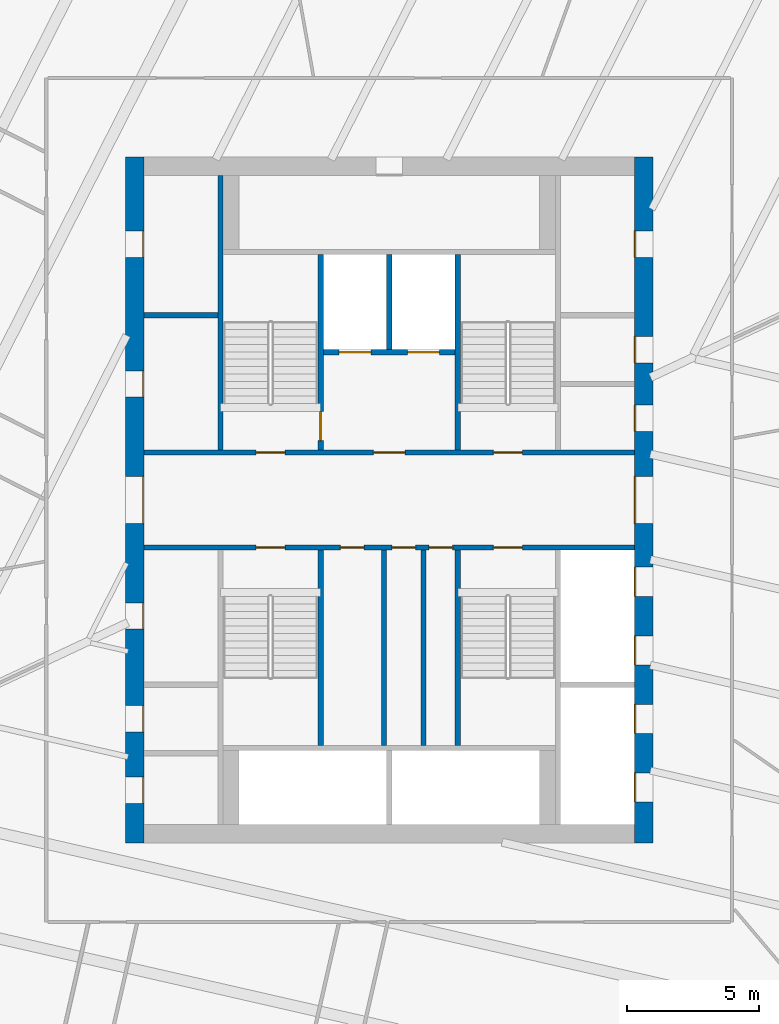
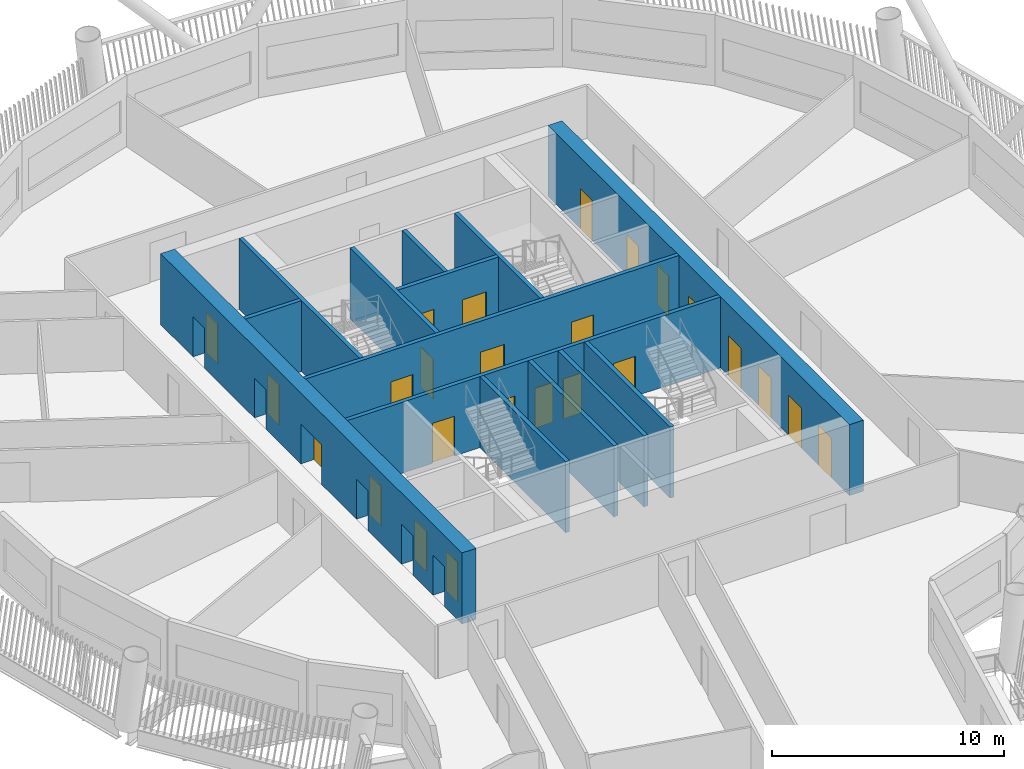
# One storey, part 5 of 21: 25 doors, 14 walls, 25 openings.
"""IFC4 building model written with IfcOpenShell, lengths in metres."""

from ifc_helpers import new_model, si_unit, direction, frame, frame_2d, origin, place, context, subcontext, project, spatial, rectangle, extrude, material, layer, layer_set, type_object, element, fill, save


model = new_model("IFC4")

# Units and contexts
model_context = context("Model", 3, precision=1e-05, world=origin(), true_north=direction((0.0, 1.0)))
body_context = subcontext(model_context, "Body", "Model", "MODEL_VIEW")
ifc_project = project(units=[si_unit("LENGTHUNIT", "METRE"), si_unit("AREAUNIT", "SQUARE_METRE"), si_unit("VOLUMEUNIT", "CUBIC_METRE"), si_unit("PLANEANGLEUNIT", "RADIAN"), si_unit("MASSUNIT", "GRAM", prefix="KILO")], contexts=[model_context])

# Site, building, storey
site_placement = place(None, origin())
site = spatial("IfcSite", under=ifc_project, at=site_placement, CompositionType="ELEMENT")
building_placement = place(site_placement, origin())
building = spatial("IfcBuilding", under=site, at=building_placement, Name="Tarsis Ring Headquarters", CompositionType="ELEMENT")
storey_placement = place(building_placement, frame((0.0, 0.0, 171.0)))
storey = spatial("IfcBuildingStorey", under=building, at=storey_placement, Name="L39", CompositionType="ELEMENT", Elevation=171.0)

# Walls
ifc_material_1 = material(Name="Blockwork", Category="masonry")
ifc_layer_1 = layer(ifc_material_1, 0.199951171875)
ifc_layer_set_1 = layer_set([ifc_layer_1], Name="Core blockwork wall 200")
wall_type_1 = type_object("IfcWallType", Name="Core blockwork wall 200", PredefinedType="PARTITIONING", material=ifc_layer_set_1)
wall_1_placement = place(storey_placement, frame((-9.300048828125, 7.0, 0.0), z_axis=(0.0, 0.0, 1.0), x_axis=(1.0, 0.0, 0.0)))
element("IfcWall", 1, at=wall_1_placement, inside=storey, type_object=wall_type_1, Name="Core partition WD6", PredefinedType="PARTITIONING", context=body_context, shape_type="SweptSolid", body=[
    extrude(rectangle(XDim=2.800048828125, YDim=0.199951171875, at=frame_2d((1.39990234375, 0.0))), origin(), (0.0, 0.0, 1.0), 3.739990234375),
])
for number, where, z_axis, x_axis, name in (
    (2, (-0.199951171875, -9.300048828125, 0.0), (0.0, 0.0, 1.0), (0.0, 1.0, 0.0), "Core partition SV1"),
    (3, (1.300048828125, -9.300048828125, 0.0), (0.0, 0.0, 1.0), (0.0, 1.0, 0.0), "Core partition SV2"),
):
    element("IfcWall", number, at=place(storey_placement, frame(where, z_axis=z_axis, x_axis=x_axis)), inside=storey, type_object=wall_type_1, Name=name, PredefinedType="PARTITIONING", context=body_context, shape_type="SweptSolid", body=[
        extrude(rectangle(XDim=7.400146484375, YDim=0.199951171875, at=frame_2d((3.7001953125, 0.0))), origin(), (0.0, 0.0, 1.0), 3.739990234375),
    ])

# Wall, openings, doors
ifc_material_2 = material(Name="Concrete C60/75", Category="concrete")
ifc_layer_2 = layer(ifc_material_2, 0.699951171875)
ifc_layer_set_2 = layer_set([ifc_layer_2], Name="Core wall 700 C60/75")
wall_type_2 = type_object("IfcWallType", Name="Core wall 700 C60/75", PredefinedType="SHEAR", material=ifc_layer_set_2)
wall_2_placement = place(storey_placement, frame((-9.64990234375, -13.0, 0.0), z_axis=(0.0, 0.0, 1.0), x_axis=(0.0, 1.0, 0.0)))
wall_2 = element("IfcWall", 4, at=wall_2_placement, inside=storey, type_object=wall_type_2, Name="Core wall OW", PredefinedType="SHEAR", context=body_context, shape_type="SweptSolid", body=[
    extrude(rectangle(XDim=26.0, YDim=0.699951171875, at=frame_2d((13.0, 0.0))), origin(), (0.0, 0.0, 1.0), 3.739990234375),
])
opening_1_placement = place(wall_2_placement, frame((1.5, 0.0, 0.0)))
opening_1 = element("IfcOpeningElement", 5, at=opening_1_placement, cuts=wall_2, Name="Opening L39-C01", PredefinedType="OPENING", context=body_context, shape_type="SweptSolid", body=[
    extrude(rectangle(XDim=1.0, YDim=2.10009765625, at=frame_2d((0.5, 1.050048828125))), frame((0.0, 0.35986328125, 0.0), z_axis=(0.0, -1.0, 0.0), x_axis=(1.0, 0.0, 0.0)), (0.0, 0.0, 1.0), 0.719970703125),
])
opening_2_placement = place(wall_2_placement, frame((4.199951171875, 0.0, 0.0)))
opening_2 = element("IfcOpeningElement", 6, at=opening_2_placement, cuts=wall_2, Name="Opening L39-C02", PredefinedType="OPENING", context=body_context, shape_type="SweptSolid", body=[
    extrude(rectangle(XDim=1.0, YDim=2.10009765625, at=frame_2d((0.5, 1.050048828125))), frame((0.0, 0.35986328125, 0.0), z_axis=(0.0, -1.0, 0.0), x_axis=(1.0, 0.0, 0.0)), (0.0, 0.0, 1.0), 0.719970703125),
])
opening_3_placement = place(wall_2_placement, frame((8.10009765625, 0.0, 0.0)))
opening_3 = element("IfcOpeningElement", 7, at=opening_3_placement, cuts=wall_2, Name="Opening L39-C03", PredefinedType="OPENING", context=body_context, shape_type="SweptSolid", body=[
    extrude(rectangle(XDim=1.0, YDim=2.10009765625, at=frame_2d((0.5, 1.050048828125))), frame((0.0, 0.35986328125, 0.0), z_axis=(0.0, -1.0, 0.0), x_axis=(1.0, 0.0, 0.0)), (0.0, 0.0, 1.0), 0.719970703125),
])
opening_4_placement = place(wall_2_placement, frame((12.10009765625, 0.0, 0.0)))
opening_4 = element("IfcOpeningElement", 8, at=opening_4_placement, cuts=wall_2, Name="Opening L39-C04", PredefinedType="OPENING", context=body_context, shape_type="SweptSolid", body=[
    extrude(rectangle(XDim=1.800048828125, YDim=2.10009765625, at=frame_2d((0.89990234375, 1.050048828125))), frame((0.0, 0.35986328125, 0.0), z_axis=(0.0, -1.0, 0.0), x_axis=(1.0, 0.0, 0.0)), (0.0, 0.0, 1.0), 0.719970703125),
])
opening_5_placement = place(wall_2_placement, frame((16.89990234375, 0.0, 0.0)))
opening_5 = element("IfcOpeningElement", 9, at=opening_5_placement, cuts=wall_2, Name="Opening L39-C05", PredefinedType="OPENING", context=body_context, shape_type="SweptSolid", body=[
    extrude(rectangle(XDim=1.0, YDim=2.10009765625, at=frame_2d((0.5, 1.050048828125))), frame((0.0, 0.35986328125, 0.0), z_axis=(0.0, -1.0, 0.0), x_axis=(1.0, 0.0, 0.0)), (0.0, 0.0, 1.0), 0.719970703125),
])
opening_6_placement = place(wall_2_placement, frame((22.199951171875, 0.0, 0.0)))
opening_6 = element("IfcOpeningElement", 10, at=opening_6_placement, cuts=wall_2, Name="Opening L39-C06", PredefinedType="OPENING", context=body_context, shape_type="SweptSolid", body=[
    extrude(rectangle(XDim=1.0, YDim=2.10009765625, at=frame_2d((0.5, 1.050048828125))), frame((0.0, 0.35986328125, 0.0), z_axis=(0.0, -1.0, 0.0), x_axis=(1.0, 0.0, 0.0)), (0.0, 0.0, 1.0), 0.719970703125),
])
ifc_material_3 = material(Name="Steel S355", Category="steel")
door_type_1 = type_object("IfcDoorType", Name="Core entry door 1800x2100", OperationType="DOUBLE_DOOR_SINGLE_SWING", PredefinedType="DOOR", material=ifc_material_3)
door_1_placement = place(opening_4_placement, origin())
door_1 = element("IfcDoor", 11, at=door_1_placement, inside=storey, type_object=door_type_1, Name="Core entry door L39", OperationType="DOUBLE_DOOR_SINGLE_SWING", OverallHeight=2.10009765625, OverallWidth=1.800048828125, PredefinedType="DOOR", context=body_context, shape_type="SweptSolid", body=[
    extrude(rectangle(XDim=1.800048828125, YDim=2.10009765625, at=frame_2d((0.89990234375, 1.050048828125))), frame((0.0, -0.2998046875, 0.0), z_axis=(0.0, -1.0, 0.0), x_axis=(1.0, 0.0, 0.0)), (0.0, 0.0, 1.0), 0.050048828125),
])
fill(opening_4, door_1)
door_type_2 = type_object("IfcDoorType", Name="Core room door 1000x2100", OperationType="SINGLE_SWING_LEFT", PredefinedType="DOOR", material=ifc_material_3)
door_2_placement = place(opening_1_placement, origin())
door_2 = element("IfcDoor", 12, at=door_2_placement, inside=storey, type_object=door_type_2, Name="Core room door L39", OperationType="SINGLE_SWING_LEFT", OverallHeight=2.10009765625, OverallWidth=1.0, PredefinedType="DOOR", context=body_context, shape_type="SweptSolid", body=[
    extrude(rectangle(XDim=1.0, YDim=2.10009765625, at=frame_2d((0.5, 1.050048828125))), frame((0.0, -0.2998046875, 0.0), z_axis=(0.0, -1.0, 0.0), x_axis=(1.0, 0.0, 0.0)), (0.0, 0.0, 1.0), 0.050048828125),
])
fill(opening_1, door_2)
door_3_placement = place(opening_2_placement, origin())
door_3 = element("IfcDoor", 13, at=door_3_placement, inside=storey, type_object=door_type_2, Name="Core room door L39", OperationType="SINGLE_SWING_LEFT", OverallHeight=2.10009765625, OverallWidth=1.0, PredefinedType="DOOR", context=body_context, shape_type="SweptSolid", body=[
    extrude(rectangle(XDim=1.0, YDim=2.10009765625, at=frame_2d((0.5, 1.050048828125))), frame((0.0, -0.2998046875, 0.0), z_axis=(0.0, -1.0, 0.0), x_axis=(1.0, 0.0, 0.0)), (0.0, 0.0, 1.0), 0.050048828125),
])
fill(opening_2, door_3)
door_4_placement = place(opening_3_placement, origin())
door_4 = element("IfcDoor", 14, at=door_4_placement, inside=storey, type_object=door_type_2, Name="Core room door L39", OperationType="SINGLE_SWING_LEFT", OverallHeight=2.10009765625, OverallWidth=1.0, PredefinedType="DOOR", context=body_context, shape_type="SweptSolid", body=[
    extrude(rectangle(XDim=1.0, YDim=2.10009765625, at=frame_2d((0.5, 1.050048828125))), frame((0.0, -0.2998046875, 0.0), z_axis=(0.0, -1.0, 0.0), x_axis=(1.0, 0.0, 0.0)), (0.0, 0.0, 1.0), 0.050048828125),
])
fill(opening_3, door_4)
door_5_placement = place(opening_5_placement, origin())
door_5 = element("IfcDoor", 15, at=door_5_placement, inside=storey, type_object=door_type_2, Name="Core room door L39", OperationType="SINGLE_SWING_LEFT", OverallHeight=2.10009765625, OverallWidth=1.0, PredefinedType="DOOR", context=body_context, shape_type="SweptSolid", body=[
    extrude(rectangle(XDim=1.0, YDim=2.10009765625, at=frame_2d((0.5, 1.050048828125))), frame((0.0, -0.2998046875, 0.0), z_axis=(0.0, -1.0, 0.0), x_axis=(1.0, 0.0, 0.0)), (0.0, 0.0, 1.0), 0.050048828125),
])
fill(opening_5, door_5)
door_6_placement = place(opening_6_placement, origin())
door_6 = element("IfcDoor", 16, at=door_6_placement, inside=storey, type_object=door_type_2, Name="Core room door L39", OperationType="SINGLE_SWING_LEFT", OverallHeight=2.10009765625, OverallWidth=1.0, PredefinedType="DOOR", context=body_context, shape_type="SweptSolid", body=[
    extrude(rectangle(XDim=1.0, YDim=2.10009765625, at=frame_2d((0.5, 1.050048828125))), frame((0.0, -0.2998046875, 0.0), z_axis=(0.0, -1.0, 0.0), x_axis=(1.0, 0.0, 0.0)), (0.0, 0.0, 1.0), 0.050048828125),
])
fill(opening_6, door_6)

wall_3_placement = place(storey_placement, frame((9.64990234375, -13.0, 0.0), z_axis=(0.0, 0.0, 1.0), x_axis=(0.0, 1.0, 0.0)))
wall_3 = element("IfcWall", 17, at=wall_3_placement, inside=storey, type_object=wall_type_2, Name="Core wall OE", PredefinedType="SHEAR", context=body_context, shape_type="SweptSolid", body=[
    extrude(rectangle(XDim=26.0, YDim=0.699951171875, at=frame_2d((13.0, 0.0))), origin(), (0.0, 0.0, 1.0), 3.739990234375),
])
opening_7_placement = place(wall_3_placement, frame((1.550048828125, 0.0, 0.0)))
opening_7 = element("IfcOpeningElement", 18, at=opening_7_placement, cuts=wall_3, Name="Opening LD-MR1", PredefinedType="OPENING", context=body_context, shape_type="SweptSolid", body=[
    extrude(rectangle(XDim=1.10009765625, YDim=2.10009765625, at=frame_2d((0.550048828125, 1.050048828125))), frame((0.0, 0.35986328125, 0.0), z_axis=(0.0, -1.0, 0.0), x_axis=(1.0, 0.0, 0.0)), (0.0, 0.0, 1.0), 0.719970703125),
])
opening_8_placement = place(wall_3_placement, frame((4.14990234375, 0.0, 0.0)))
opening_8 = element("IfcOpeningElement", 19, at=opening_8_placement, cuts=wall_3, Name="Opening LD-MR2", PredefinedType="OPENING", context=body_context, shape_type="SweptSolid", body=[
    extrude(rectangle(XDim=1.10009765625, YDim=2.10009765625, at=frame_2d((0.550048828125, 1.050048828125))), frame((0.0, 0.35986328125, 0.0), z_axis=(0.0, -1.0, 0.0), x_axis=(1.0, 0.0, 0.0)), (0.0, 0.0, 1.0), 0.719970703125),
])
opening_9_placement = place(wall_3_placement, frame((6.75, 0.0, 0.0)))
opening_9 = element("IfcOpeningElement", 20, at=opening_9_placement, cuts=wall_3, Name="Opening LD-MR3", PredefinedType="OPENING", context=body_context, shape_type="SweptSolid", body=[
    extrude(rectangle(XDim=1.10009765625, YDim=2.10009765625, at=frame_2d((0.550048828125, 1.050048828125))), frame((0.0, 0.35986328125, 0.0), z_axis=(0.0, -1.0, 0.0), x_axis=(1.0, 0.0, 0.0)), (0.0, 0.0, 1.0), 0.719970703125),
])
opening_10_placement = place(wall_3_placement, frame((9.35009765625, 0.0, 0.0)))
opening_10 = element("IfcOpeningElement", 21, at=opening_10_placement, cuts=wall_3, Name="Opening LD-MR4", PredefinedType="OPENING", context=body_context, shape_type="SweptSolid", body=[
    extrude(rectangle(XDim=1.10009765625, YDim=2.10009765625, at=frame_2d((0.550048828125, 1.050048828125))), frame((0.0, 0.35986328125, 0.0), z_axis=(0.0, -1.0, 0.0), x_axis=(1.0, 0.0, 0.0)), (0.0, 0.0, 1.0), 0.719970703125),
])
opening_11_placement = place(wall_3_placement, frame((12.10009765625, 0.0, 0.0)))
opening_11 = element("IfcOpeningElement", 22, at=opening_11_placement, cuts=wall_3, Name="Opening L39-C11", PredefinedType="OPENING", context=body_context, shape_type="SweptSolid", body=[
    extrude(rectangle(XDim=1.800048828125, YDim=2.10009765625, at=frame_2d((0.89990234375, 1.050048828125))), frame((0.0, 0.35986328125, 0.0), z_axis=(0.0, -1.0, 0.0), x_axis=(1.0, 0.0, 0.0)), (0.0, 0.0, 1.0), 0.719970703125),
])
opening_12_placement = place(wall_3_placement, frame((15.60009765625, 0.0, 0.0)))
opening_12 = element("IfcOpeningElement", 23, at=opening_12_placement, cuts=wall_3, Name="Opening L39-C12", PredefinedType="OPENING", context=body_context, shape_type="SweptSolid", body=[
    extrude(rectangle(XDim=1.0, YDim=2.10009765625, at=frame_2d((0.5, 1.050048828125))), frame((0.0, 0.35986328125, 0.0), z_axis=(0.0, -1.0, 0.0), x_axis=(1.0, 0.0, 0.0)), (0.0, 0.0, 1.0), 0.719970703125),
])
opening_13_placement = place(wall_3_placement, frame((18.199951171875, 0.0, 0.0)))
opening_13 = element("IfcOpeningElement", 24, at=opening_13_placement, cuts=wall_3, Name="Opening L39-C13", PredefinedType="OPENING", context=body_context, shape_type="SweptSolid", body=[
    extrude(rectangle(XDim=1.0, YDim=2.10009765625, at=frame_2d((0.5, 1.050048828125))), frame((0.0, 0.35986328125, 0.0), z_axis=(0.0, -1.0, 0.0), x_axis=(1.0, 0.0, 0.0)), (0.0, 0.0, 1.0), 0.719970703125),
])
opening_14_placement = place(wall_3_placement, frame((22.199951171875, 0.0, 0.0)))
opening_14 = element("IfcOpeningElement", 25, at=opening_14_placement, cuts=wall_3, Name="Opening L39-C14", PredefinedType="OPENING", context=body_context, shape_type="SweptSolid", body=[
    extrude(rectangle(XDim=1.0, YDim=2.10009765625, at=frame_2d((0.5, 1.050048828125))), frame((0.0, 0.35986328125, 0.0), z_axis=(0.0, -1.0, 0.0), x_axis=(1.0, 0.0, 0.0)), (0.0, 0.0, 1.0), 0.719970703125),
])
door_7_placement = place(opening_11_placement, origin())
door_7 = element("IfcDoor", 26, at=door_7_placement, inside=storey, type_object=door_type_1, Name="Core entry door L39", OperationType="DOUBLE_DOOR_SINGLE_SWING", OverallHeight=2.10009765625, OverallWidth=1.800048828125, PredefinedType="DOOR", context=body_context, shape_type="SweptSolid", body=[
    extrude(rectangle(XDim=1.800048828125, YDim=2.10009765625, at=frame_2d((0.89990234375, 1.050048828125))), frame((0.0, 0.35009765625, 0.0), z_axis=(0.0, -1.0, 0.0), x_axis=(1.0, 0.0, 0.0)), (0.0, 0.0, 1.0), 0.050048828125),
])
fill(opening_11, door_7)
door_8_placement = place(opening_12_placement, origin())
door_8 = element("IfcDoor", 27, at=door_8_placement, inside=storey, type_object=door_type_2, Name="Core room door L39", OperationType="SINGLE_SWING_LEFT", OverallHeight=2.10009765625, OverallWidth=1.0, PredefinedType="DOOR", context=body_context, shape_type="SweptSolid", body=[
    extrude(rectangle(XDim=1.0, YDim=2.10009765625, at=frame_2d((0.5, 1.050048828125))), frame((0.0, 0.35009765625, 0.0), z_axis=(0.0, -1.0, 0.0), x_axis=(1.0, 0.0, 0.0)), (0.0, 0.0, 1.0), 0.050048828125),
])
fill(opening_12, door_8)
door_9_placement = place(opening_13_placement, origin())
door_9 = element("IfcDoor", 28, at=door_9_placement, inside=storey, type_object=door_type_2, Name="Core room door L39", OperationType="SINGLE_SWING_LEFT", OverallHeight=2.10009765625, OverallWidth=1.0, PredefinedType="DOOR", context=body_context, shape_type="SweptSolid", body=[
    extrude(rectangle(XDim=1.0, YDim=2.10009765625, at=frame_2d((0.5, 1.050048828125))), frame((0.0, 0.35009765625, 0.0), z_axis=(0.0, -1.0, 0.0), x_axis=(1.0, 0.0, 0.0)), (0.0, 0.0, 1.0), 0.050048828125),
])
fill(opening_13, door_9)
door_10_placement = place(opening_14_placement, origin())
door_10 = element("IfcDoor", 29, at=door_10_placement, inside=storey, type_object=door_type_2, Name="Core room door L39", OperationType="SINGLE_SWING_LEFT", OverallHeight=2.10009765625, OverallWidth=1.0, PredefinedType="DOOR", context=body_context, shape_type="SweptSolid", body=[
    extrude(rectangle(XDim=1.0, YDim=2.10009765625, at=frame_2d((0.5, 1.050048828125))), frame((0.0, 0.35009765625, 0.0), z_axis=(0.0, -1.0, 0.0), x_axis=(1.0, 0.0, 0.0)), (0.0, 0.0, 1.0), 0.050048828125),
])
fill(opening_14, door_10)
door_type_3 = type_object("IfcDoorType", Name="Landing door 1100x2100", OperationType="SLIDING_TO_LEFT", PredefinedType="DOOR", material=ifc_material_3)
door_11_placement = place(opening_7_placement, origin())
door_11 = element("IfcDoor", 30, at=door_11_placement, inside=storey, type_object=door_type_3, Name="Landing door MR1 L39", OperationType="SLIDING_TO_LEFT", OverallHeight=2.10009765625, OverallWidth=1.10009765625, PredefinedType="DOOR", context=body_context, shape_type="SweptSolid", body=[
    extrude(rectangle(XDim=1.10009765625, YDim=2.10009765625, at=frame_2d((0.550048828125, 1.050048828125))), frame((0.0, 0.35009765625, 0.0), z_axis=(0.0, -1.0, 0.0), x_axis=(1.0, 0.0, 0.0)), (0.0, 0.0, 1.0), 0.050048828125),
])
fill(opening_7, door_11)
door_12_placement = place(opening_8_placement, origin())
door_12 = element("IfcDoor", 31, at=door_12_placement, inside=storey, type_object=door_type_3, Name="Landing door MR2 L39", OperationType="SLIDING_TO_LEFT", OverallHeight=2.10009765625, OverallWidth=1.10009765625, PredefinedType="DOOR", context=body_context, shape_type="SweptSolid", body=[
    extrude(rectangle(XDim=1.10009765625, YDim=2.10009765625, at=frame_2d((0.550048828125, 1.050048828125))), frame((0.0, 0.35009765625, 0.0), z_axis=(0.0, -1.0, 0.0), x_axis=(1.0, 0.0, 0.0)), (0.0, 0.0, 1.0), 0.050048828125),
])
fill(opening_8, door_12)
door_13_placement = place(opening_9_placement, origin())
door_13 = element("IfcDoor", 32, at=door_13_placement, inside=storey, type_object=door_type_3, Name="Landing door MR3 L39", OperationType="SLIDING_TO_LEFT", OverallHeight=2.10009765625, OverallWidth=1.10009765625, PredefinedType="DOOR", context=body_context, shape_type="SweptSolid", body=[
    extrude(rectangle(XDim=1.10009765625, YDim=2.10009765625, at=frame_2d((0.550048828125, 1.050048828125))), frame((0.0, 0.35009765625, 0.0), z_axis=(0.0, -1.0, 0.0), x_axis=(1.0, 0.0, 0.0)), (0.0, 0.0, 1.0), 0.050048828125),
])
fill(opening_9, door_13)
door_14_placement = place(opening_10_placement, origin())
door_14 = element("IfcDoor", 33, at=door_14_placement, inside=storey, type_object=door_type_3, Name="Landing door MR4 L39", OperationType="SLIDING_TO_LEFT", OverallHeight=2.10009765625, OverallWidth=1.10009765625, PredefinedType="DOOR", context=body_context, shape_type="SweptSolid", body=[
    extrude(rectangle(XDim=1.10009765625, YDim=2.10009765625, at=frame_2d((0.550048828125, 1.050048828125))), frame((0.0, 0.35009765625, 0.0), z_axis=(0.0, -1.0, 0.0), x_axis=(1.0, 0.0, 0.0)), (0.0, 0.0, 1.0), 0.050048828125),
])
fill(opening_10, door_14)

ifc_material_4 = material(Name="Concrete C32/40", Category="concrete")
ifc_layer_3 = layer(ifc_material_4, 0.199951171875)
ifc_layer_set_3 = layer_set([ifc_layer_3], Name="Shaft wall 200 C32/40")
wall_type_3 = type_object("IfcWallType", Name="Shaft wall 200 C32/40", PredefinedType="SOLIDWALL", material=ifc_layer_set_3)
wall_4_placement = place(storey_placement, frame((-9.300048828125, 1.800048828125, 0.0), z_axis=(0.0, 0.0, 1.0), x_axis=(1.0, 0.0, 0.0)))
wall_4 = element("IfcWall", 34, at=wall_4_placement, inside=storey, type_object=wall_type_3, Name="Core shaft wall CN", PredefinedType="SOLIDWALL", context=body_context, shape_type="SweptSolid", body=[
    extrude(rectangle(XDim=18.60009765625, YDim=0.199951171875, at=frame_2d((9.300048828125, 0.0))), origin(), (0.0, 0.0, 1.0), 3.739990234375),
])
opening_15_placement = place(wall_4_placement, frame((4.25, 0.0, 0.0)))
opening_15 = element("IfcOpeningElement", 35, at=opening_15_placement, cuts=wall_4, Name="Opening L39-C16", PredefinedType="OPENING", context=body_context, shape_type="SweptSolid", body=[
    extrude(rectangle(XDim=1.10009765625, YDim=2.10009765625, at=frame_2d((0.550048828125, 1.050048828125))), frame((0.0, 0.10986328125, 0.0), z_axis=(0.0, -1.0, 0.0), x_axis=(1.0, 0.0, 0.0)), (0.0, 0.0, 1.0), 0.219970703125),
])
opening_16_placement = place(wall_4_placement, frame((8.699951171875, 0.0, 0.0)))
opening_16 = element("IfcOpeningElement", 36, at=opening_16_placement, cuts=wall_4, Name="Opening L39-C17", PredefinedType="OPENING", context=body_context, shape_type="SweptSolid", body=[
    extrude(rectangle(XDim=1.199951171875, YDim=2.10009765625, at=frame_2d((0.60009765625, 1.050048828125))), frame((0.0, 0.10986328125, 0.0), z_axis=(0.0, -1.0, 0.0), x_axis=(1.0, 0.0, 0.0)), (0.0, 0.0, 1.0), 0.219970703125),
])
opening_17_placement = place(wall_4_placement, frame((13.25, 0.0, 0.0)))
opening_17 = element("IfcOpeningElement", 37, at=opening_17_placement, cuts=wall_4, Name="Opening L39-C18", PredefinedType="OPENING", context=body_context, shape_type="SweptSolid", body=[
    extrude(rectangle(XDim=1.10009765625, YDim=2.10009765625, at=frame_2d((0.550048828125, 1.050048828125))), frame((0.0, 0.10986328125, 0.0), z_axis=(0.0, -1.0, 0.0), x_axis=(1.0, 0.0, 0.0)), (0.0, 0.0, 1.0), 0.219970703125),
])
door_type_4 = type_object("IfcDoorType", Name="Firefighting lobby door 1200x2100", OperationType="DOUBLE_DOOR_SINGLE_SWING", PredefinedType="DOOR", material=ifc_material_3)
door_15_placement = place(opening_16_placement, origin())
door_15 = element("IfcDoor", 38, at=door_15_placement, inside=storey, type_object=door_type_4, Name="Firefighting lobby door L39", OperationType="DOUBLE_DOOR_SINGLE_SWING", OverallHeight=2.10009765625, OverallWidth=1.199951171875, PredefinedType="DOOR", context=body_context, shape_type="SweptSolid", body=[
    extrude(rectangle(XDim=1.199951171875, YDim=2.10009765625, at=frame_2d((0.60009765625, 1.050048828125))), frame((0.0, 0.02490234375, 0.0), z_axis=(0.0, -1.0, 0.0), x_axis=(1.0, 0.0, 0.0)), (0.0, 0.0, 1.0), 0.050048828125),
])
fill(opening_16, door_15)
door_type_5 = type_object("IfcDoorType", Name="Stair door 1100x2100", OperationType="SINGLE_SWING_LEFT", PredefinedType="DOOR", material=ifc_material_3)
door_16_placement = place(opening_15_placement, origin())
door_16 = element("IfcDoor", 39, at=door_16_placement, inside=storey, type_object=door_type_5, Name="Stair door L39", OperationType="SINGLE_SWING_LEFT", OverallHeight=2.10009765625, OverallWidth=1.10009765625, PredefinedType="DOOR", context=body_context, shape_type="SweptSolid", body=[
    extrude(rectangle(XDim=1.10009765625, YDim=2.10009765625, at=frame_2d((0.550048828125, 1.050048828125))), frame((0.0, 0.02490234375, 0.0), z_axis=(0.0, -1.0, 0.0), x_axis=(1.0, 0.0, 0.0)), (0.0, 0.0, 1.0), 0.050048828125),
])
fill(opening_15, door_16)
door_17_placement = place(opening_17_placement, origin())
door_17 = element("IfcDoor", 40, at=door_17_placement, inside=storey, type_object=door_type_5, Name="Stair door L39", OperationType="SINGLE_SWING_LEFT", OverallHeight=2.10009765625, OverallWidth=1.10009765625, PredefinedType="DOOR", context=body_context, shape_type="SweptSolid", body=[
    extrude(rectangle(XDim=1.10009765625, YDim=2.10009765625, at=frame_2d((0.550048828125, 1.050048828125))), frame((0.0, 0.02490234375, 0.0), z_axis=(0.0, -1.0, 0.0), x_axis=(1.0, 0.0, 0.0)), (0.0, 0.0, 1.0), 0.050048828125),
])
fill(opening_17, door_17)

wall_5_placement = place(storey_placement, frame((-9.300048828125, -1.800048828125, 0.0), z_axis=(0.0, 0.0, 1.0), x_axis=(1.0, 0.0, 0.0)))
wall_5 = element("IfcWall", 41, at=wall_5_placement, inside=storey, type_object=wall_type_3, Name="Core shaft wall CS", PredefinedType="SOLIDWALL", context=body_context, shape_type="SweptSolid", body=[
    extrude(rectangle(XDim=18.60009765625, YDim=0.199951171875, at=frame_2d((9.300048828125, 0.0))), origin(), (0.0, 0.0, 1.0), 3.739990234375),
])
opening_18_placement = place(wall_5_placement, frame((4.25, 0.0, 0.0)))
opening_18 = element("IfcOpeningElement", 42, at=opening_18_placement, cuts=wall_5, Name="Opening L39-C19", PredefinedType="OPENING", context=body_context, shape_type="SweptSolid", body=[
    extrude(rectangle(XDim=1.10009765625, YDim=2.10009765625, at=frame_2d((0.550048828125, 1.050048828125))), frame((0.0, 0.10986328125, 0.0), z_axis=(0.0, -1.0, 0.0), x_axis=(1.0, 0.0, 0.0)), (0.0, 0.0, 1.0), 0.219970703125),
])
opening_19_placement = place(wall_5_placement, frame((7.449951171875, 0.0, 0.0)))
opening_19 = element("IfcOpeningElement", 43, at=opening_19_placement, cuts=wall_5, Name="Opening L39-C20", PredefinedType="OPENING", context=body_context, shape_type="SweptSolid", body=[
    extrude(rectangle(XDim=0.89990234375, YDim=2.10009765625, at=frame_2d((0.449951171875, 1.050048828125))), frame((0.0, 0.10986328125, 0.0), z_axis=(0.0, -1.0, 0.0), x_axis=(1.0, 0.0, 0.0)), (0.0, 0.0, 1.0), 0.219970703125),
])
opening_20_placement = place(wall_5_placement, frame((9.39990234375, 0.0, 0.0)))
opening_20 = element("IfcOpeningElement", 44, at=opening_20_placement, cuts=wall_5, Name="Opening L39-C21", PredefinedType="OPENING", context=body_context, shape_type="SweptSolid", body=[
    extrude(rectangle(XDim=0.89990234375, YDim=2.10009765625, at=frame_2d((0.449951171875, 1.050048828125))), frame((0.0, 0.10986328125, 0.0), z_axis=(0.0, -1.0, 0.0), x_axis=(1.0, 0.0, 0.0)), (0.0, 0.0, 1.0), 0.219970703125),
])
opening_21_placement = place(wall_5_placement, frame((10.800048828125, 0.0, 0.0)))
opening_21 = element("IfcOpeningElement", 45, at=opening_21_placement, cuts=wall_5, Name="Opening L39-C22", PredefinedType="OPENING", context=body_context, shape_type="SweptSolid", body=[
    extrude(rectangle(XDim=0.89990234375, YDim=2.10009765625, at=frame_2d((0.449951171875, 1.050048828125))), frame((0.0, 0.10986328125, 0.0), z_axis=(0.0, -1.0, 0.0), x_axis=(1.0, 0.0, 0.0)), (0.0, 0.0, 1.0), 0.219970703125),
])
opening_22_placement = place(wall_5_placement, frame((13.25, 0.0, 0.0)))
opening_22 = element("IfcOpeningElement", 46, at=opening_22_placement, cuts=wall_5, Name="Opening L39-C23", PredefinedType="OPENING", context=body_context, shape_type="SweptSolid", body=[
    extrude(rectangle(XDim=1.10009765625, YDim=2.10009765625, at=frame_2d((0.550048828125, 1.050048828125))), frame((0.0, 0.10986328125, 0.0), z_axis=(0.0, -1.0, 0.0), x_axis=(1.0, 0.0, 0.0)), (0.0, 0.0, 1.0), 0.219970703125),
])
door_18_placement = place(opening_18_placement, origin())
door_18 = element("IfcDoor", 47, at=door_18_placement, inside=storey, type_object=door_type_5, Name="Stair door L39", OperationType="SINGLE_SWING_LEFT", OverallHeight=2.10009765625, OverallWidth=1.10009765625, PredefinedType="DOOR", context=body_context, shape_type="SweptSolid", body=[
    extrude(rectangle(XDim=1.10009765625, YDim=2.10009765625, at=frame_2d((0.550048828125, 1.050048828125))), frame((0.0, 0.02490234375, 0.0), z_axis=(0.0, -1.0, 0.0), x_axis=(1.0, 0.0, 0.0)), (0.0, 0.0, 1.0), 0.050048828125),
])
fill(opening_18, door_18)
door_19_placement = place(opening_22_placement, origin())
door_19 = element("IfcDoor", 48, at=door_19_placement, inside=storey, type_object=door_type_5, Name="Stair door L39", OperationType="SINGLE_SWING_LEFT", OverallHeight=2.10009765625, OverallWidth=1.10009765625, PredefinedType="DOOR", context=body_context, shape_type="SweptSolid", body=[
    extrude(rectangle(XDim=1.10009765625, YDim=2.10009765625, at=frame_2d((0.550048828125, 1.050048828125))), frame((0.0, 0.02490234375, 0.0), z_axis=(0.0, -1.0, 0.0), x_axis=(1.0, 0.0, 0.0)), (0.0, 0.0, 1.0), 0.050048828125),
])
fill(opening_22, door_19)
door_type_6 = type_object("IfcDoorType", Name="WC door 900x2100", OperationType="SINGLE_SWING_LEFT", PredefinedType="DOOR", material=ifc_material_3)
door_20_placement = place(opening_19_placement, origin())
door_20 = element("IfcDoor", 49, at=door_20_placement, inside=storey, type_object=door_type_6, Name="WC door L39", OperationType="SINGLE_SWING_LEFT", OverallHeight=2.10009765625, OverallWidth=0.89990234375, PredefinedType="DOOR", context=body_context, shape_type="SweptSolid", body=[
    extrude(rectangle(XDim=0.89990234375, YDim=2.10009765625, at=frame_2d((0.449951171875, 1.050048828125))), frame((0.0, 0.02490234375, 0.0), z_axis=(0.0, -1.0, 0.0), x_axis=(1.0, 0.0, 0.0)), (0.0, 0.0, 1.0), 0.050048828125),
])
fill(opening_19, door_20)
door_21_placement = place(opening_20_placement, origin())
door_21 = element("IfcDoor", 50, at=door_21_placement, inside=storey, type_object=door_type_6, Name="WC door L39", OperationType="SINGLE_SWING_LEFT", OverallHeight=2.10009765625, OverallWidth=0.89990234375, PredefinedType="DOOR", context=body_context, shape_type="SweptSolid", body=[
    extrude(rectangle(XDim=0.89990234375, YDim=2.10009765625, at=frame_2d((0.449951171875, 1.050048828125))), frame((0.0, 0.02490234375, 0.0), z_axis=(0.0, -1.0, 0.0), x_axis=(1.0, 0.0, 0.0)), (0.0, 0.0, 1.0), 0.050048828125),
])
fill(opening_20, door_21)
door_22_placement = place(opening_21_placement, origin())
door_22 = element("IfcDoor", 51, at=door_22_placement, inside=storey, type_object=door_type_6, Name="WC door L39", OperationType="SINGLE_SWING_LEFT", OverallHeight=2.10009765625, OverallWidth=0.89990234375, PredefinedType="DOOR", context=body_context, shape_type="SweptSolid", body=[
    extrude(rectangle(XDim=0.89990234375, YDim=2.10009765625, at=frame_2d((0.449951171875, 1.050048828125))), frame((0.0, 0.02490234375, 0.0), z_axis=(0.0, -1.0, 0.0), x_axis=(1.0, 0.0, 0.0)), (0.0, 0.0, 1.0), 0.050048828125),
])
fill(opening_21, door_22)

# Wall
wall_6_placement = place(storey_placement, frame((-6.39990234375, 1.89990234375, 0.0), z_axis=(0.0, 0.0, 1.0), x_axis=(0.0, 1.0, 0.0)))
element("IfcWall", 52, at=wall_6_placement, inside=storey, type_object=wall_type_3, Name="Core shaft wall WB2", PredefinedType="SOLIDWALL", context=body_context, shape_type="SweptSolid", body=[
    extrude(rectangle(XDim=10.400146484375, YDim=0.199951171875, at=frame_2d((5.2001953125, 0.0))), origin(), (0.0, 0.0, 1.0), 3.739990234375),
])

# Wall, opening, door
wall_7_placement = place(storey_placement, frame((-2.60009765625, 1.89990234375, 0.0), z_axis=(0.0, 0.0, 1.0), x_axis=(0.0, 1.0, 0.0)))
wall_7 = element("IfcWall", 53, at=wall_7_placement, inside=storey, type_object=wall_type_3, Name="Core shaft wall SW1", PredefinedType="SOLIDWALL", context=body_context, shape_type="SweptSolid", body=[
    extrude(rectangle(XDim=7.400146484375, YDim=0.199951171875, at=frame_2d((3.7001953125, 0.0))), origin(), (0.0, 0.0, 1.0), 3.739990234375),
])
opening_23_placement = place(wall_7_placement, frame((0.35009765625, 0.0, 0.0)))
opening_23 = element("IfcOpeningElement", 54, at=opening_23_placement, cuts=wall_7, Name="Opening L39-C24", PredefinedType="OPENING", context=body_context, shape_type="SweptSolid", body=[
    extrude(rectangle(XDim=1.10009765625, YDim=2.10009765625, at=frame_2d((0.550048828125, 1.050048828125))), frame((0.0, 0.10986328125, 0.0), z_axis=(0.0, -1.0, 0.0), x_axis=(1.0, 0.0, 0.0)), (0.0, 0.0, 1.0), 0.219970703125),
])
door_23_placement = place(opening_23_placement, origin())
door_23 = element("IfcDoor", 55, at=door_23_placement, inside=storey, type_object=door_type_5, Name="Stair door L39", OperationType="SINGLE_SWING_LEFT", OverallHeight=2.10009765625, OverallWidth=1.10009765625, PredefinedType="DOOR", context=body_context, shape_type="SweptSolid", body=[
    extrude(rectangle(XDim=1.10009765625, YDim=2.10009765625, at=frame_2d((0.550048828125, 1.050048828125))), frame((0.0, 0.02490234375, 0.0), z_axis=(0.0, -1.0, 0.0), x_axis=(1.0, 0.0, 0.0)), (0.0, 0.0, 1.0), 0.050048828125),
])
fill(opening_23, door_23)

# Walls
for number, where, z_axis, x_axis, name in (
    (56, (2.60009765625, 1.89990234375, 0.0), (0.0, 0.0, 1.0), (0.0, 1.0, 0.0), "Core shaft wall SW2"),
    (57, (-2.60009765625, -9.300048828125, 0.0), (0.0, 0.0, 1.0), (0.0, 1.0, 0.0), "Core shaft wall SW3"),
    (58, (2.60009765625, -9.300048828125, 0.0), (0.0, 0.0, 1.0), (0.0, 1.0, 0.0), "Core shaft wall SW4"),
):
    element("IfcWall", number, at=place(storey_placement, frame(where, z_axis=z_axis, x_axis=x_axis)), inside=storey, type_object=wall_type_3, Name=name, PredefinedType="SOLIDWALL", context=body_context, shape_type="SweptSolid", body=[
        extrude(rectangle(XDim=7.400146484375, YDim=0.199951171875, at=frame_2d((3.7001953125, 0.0))), origin(), (0.0, 0.0, 1.0), 3.739990234375),
    ])

# Wall, openings, doors
wall_8_placement = place(storey_placement, frame((-2.5, 5.60009765625, 0.0), z_axis=(0.0, 0.0, 1.0), x_axis=(1.0, 0.0, 0.0)))
wall_8 = element("IfcWall", 59, at=wall_8_placement, inside=storey, type_object=wall_type_3, Name="Core shaft wall FFN", PredefinedType="SOLIDWALL", context=body_context, shape_type="SweptSolid", body=[
    extrude(rectangle(XDim=5.0, YDim=0.199951171875, at=frame_2d((2.5, 0.0))), origin(), (0.0, 0.0, 1.0), 3.739990234375),
])
opening_24_placement = place(wall_8_placement, frame((0.60009765625, 0.0, 0.0)))
opening_24 = element("IfcOpeningElement", 60, at=opening_24_placement, cuts=wall_8, Name="Opening LDF-1", PredefinedType="OPENING", context=body_context, shape_type="SweptSolid", body=[
    extrude(rectangle(XDim=1.199951171875, YDim=2.10009765625, at=frame_2d((0.60009765625, 1.050048828125))), frame((0.0, 0.10986328125, 0.0), z_axis=(0.0, -1.0, 0.0), x_axis=(1.0, 0.0, 0.0)), (0.0, 0.0, 1.0), 0.219970703125),
])
opening_25_placement = place(wall_8_placement, frame((3.199951171875, 0.0, 0.0)))
opening_25 = element("IfcOpeningElement", 61, at=opening_25_placement, cuts=wall_8, Name="Opening LDF-2", PredefinedType="OPENING", context=body_context, shape_type="SweptSolid", body=[
    extrude(rectangle(XDim=1.199951171875, YDim=2.10009765625, at=frame_2d((0.60009765625, 1.050048828125))), frame((0.0, 0.10986328125, 0.0), z_axis=(0.0, -1.0, 0.0), x_axis=(1.0, 0.0, 0.0)), (0.0, 0.0, 1.0), 0.219970703125),
])
door_type_7 = type_object("IfcDoorType", Name="Firefighting landing door 1200x2100", OperationType="SLIDING_TO_LEFT", PredefinedType="DOOR", material=ifc_material_3)
door_24_placement = place(opening_24_placement, origin())
door_24 = element("IfcDoor", 62, at=door_24_placement, inside=storey, type_object=door_type_7, Name="Landing door FF1 L39", OperationType="SLIDING_TO_LEFT", OverallHeight=2.10009765625, OverallWidth=1.199951171875, PredefinedType="DOOR", context=body_context, shape_type="SweptSolid", body=[
    extrude(rectangle(XDim=1.199951171875, YDim=2.10009765625, at=frame_2d((0.60009765625, 1.050048828125))), frame((0.0, 0.02490234375, 0.0), z_axis=(0.0, -1.0, 0.0), x_axis=(1.0, 0.0, 0.0)), (0.0, 0.0, 1.0), 0.050048828125),
])
fill(opening_24, door_24)
door_25_placement = place(opening_25_placement, origin())
door_25 = element("IfcDoor", 63, at=door_25_placement, inside=storey, type_object=door_type_7, Name="Landing door FF2 L39", OperationType="SLIDING_TO_LEFT", OverallHeight=2.10009765625, OverallWidth=1.199951171875, PredefinedType="DOOR", context=body_context, shape_type="SweptSolid", body=[
    extrude(rectangle(XDim=1.199951171875, YDim=2.10009765625, at=frame_2d((0.60009765625, 1.050048828125))), frame((0.0, 0.02490234375, 0.0), z_axis=(0.0, -1.0, 0.0), x_axis=(1.0, 0.0, 0.0)), (0.0, 0.0, 1.0), 0.050048828125),
])
fill(opening_25, door_25)

# Wall
wall_9_placement = place(storey_placement, frame((0.0, 5.699951171875, 0.0), z_axis=(0.0, 0.0, 1.0), x_axis=(0.0, 1.0, 0.0)))
element("IfcWall", 64, at=wall_9_placement, inside=storey, type_object=wall_type_3, Name="Core shaft wall FFD", PredefinedType="SOLIDWALL", context=body_context, shape_type="SweptSolid", body=[
    extrude(rectangle(XDim=3.60009765625, YDim=0.199951171875, at=frame_2d((1.800048828125, 0.0))), origin(), (0.0, 0.0, 1.0), 3.739990234375),
])

save(model, "model.ifc")
